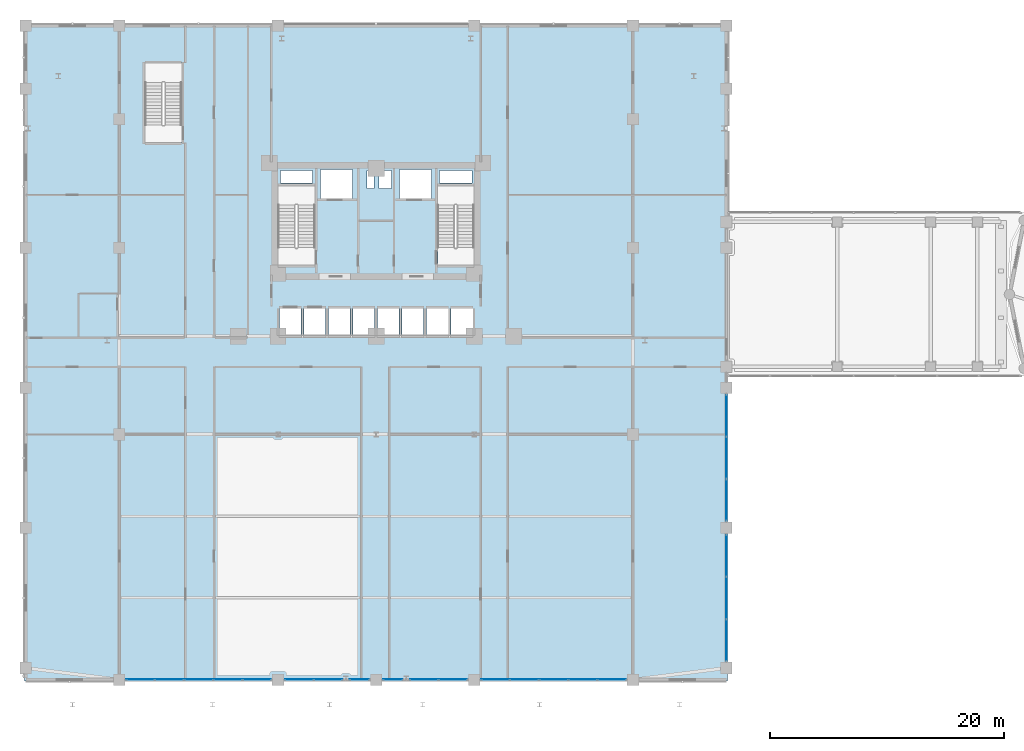
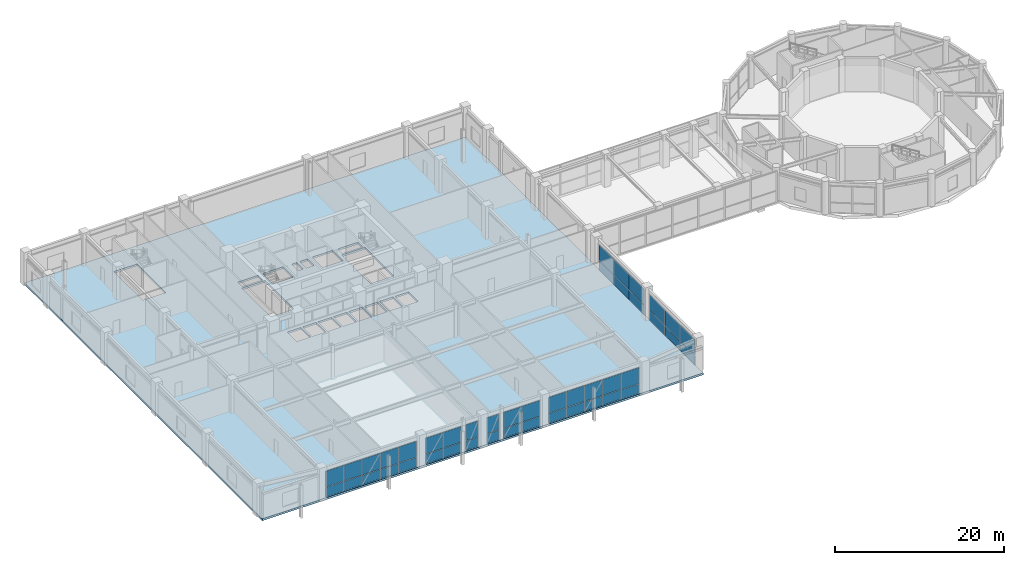
# One storey, part 29 of 48: 44 plates, 1 slab, 8 elements without a shape of their own.
"""IFC4 building model written with IfcOpenShell, lengths in metres."""

from ifc_helpers import new_model, si_unit, derived_unit, direction, frame, origin, origin_2d, place, context, subcontext, project, spatial, polyline, rectangle, outline, extrude, source, transform, mapped, material, layer, layer_set, type_object, element, aggregate, save


model = new_model("IFC4")

# Units and contexts
model_context = context("Model", 3, precision=1e-05, world=origin(), true_north=direction((0.0, 1.0)))
body_context = subcontext(model_context, "Body", "Model", "MODEL_VIEW")
ifc_project = project(units=[si_unit("LENGTHUNIT", "METRE"), si_unit("AREAUNIT", "SQUARE_METRE"), si_unit("VOLUMEUNIT", "CUBIC_METRE"), si_unit("PLANEANGLEUNIT", "RADIAN"), si_unit("MASSUNIT", "GRAM", prefix="KILO"), derived_unit("THERMALTRANSMITTANCEUNIT", [(si_unit("POWERUNIT", "WATT"), 1), (si_unit("LENGTHUNIT", "METRE"), -2), (si_unit("THERMODYNAMICTEMPERATUREUNIT", "KELVIN"), -1)])], contexts=[model_context])

# Site, building, storey
site_placement = place(None, origin())
site = spatial("IfcSite", under=ifc_project, at=site_placement, CompositionType="ELEMENT")
building_placement = place(site_placement, origin())
building = spatial("IfcBuilding", under=site, at=building_placement, Name="Korsvarv Bourse and Concert Hall", CompositionType="ELEMENT")
storey_placement = place(building_placement, frame((0.0, 0.0, 4.800048828125)))
storey = spatial("IfcBuildingStorey", under=building, at=storey_placement, Name="L01", CompositionType="ELEMENT", Elevation=4.800048828125)

# Slab
ifc_material_1 = material(Name="Concrete C45/55", Category="concrete")
ifc_layer_1 = layer(ifc_material_1, 0.280029296875)
ifc_layer_set_1 = layer_set([ifc_layer_1], Name="Concrete C45/55")
slab_type = type_object("IfcSlabType", Name="SLB-PD1", PredefinedType="FLOOR", material=ifc_layer_set_1)
slab_placement = place(storey_placement, frame((0.0, 0.0, -0.280029296875)))
element("IfcSlab", 1, at=slab_placement, inside=storey, type_object=slab_type, Name="L01 exchange podium floor slab", PredefinedType="FLOOR", context=body_context, shape_type="SweptSolid", body=[
    extrude(outline(polyline([(66.10009765625, 2.89990234375), (66.10009765625, 59.10009765625), (5.89990234375, 59.10009765625), (5.89990234375, 2.89990234375), (66.10009765625, 2.89990234375)]), holes=[polyline([(30.760009765625, 38.5), (30.760009765625, 45.300048828125), (27.60009765625, 45.300048828125), (27.60009765625, 38.5), (30.760009765625, 38.5)]), polyline([(44.39990234375, 38.5), (44.39990234375, 45.300048828125), (41.239990234375, 45.300048828125), (41.239990234375, 38.5), (44.39990234375, 38.5)]), polyline([(19.360107421875, 49.0), (19.360107421875, 55.800048828125), (16.199951171875, 55.800048828125), (16.199951171875, 49.0), (19.360107421875, 49.0)]), polyline([(31.239990234375, 44.219970703125), (34.0, 44.219970703125), (34.0, 46.679931640625), (31.239990234375, 46.679931640625), (31.239990234375, 44.219970703125)]), polyline([(38.0, 44.219970703125), (40.760009765625, 44.219970703125), (40.760009765625, 46.679931640625), (38.0, 46.679931640625), (38.0, 44.219970703125)]), polyline([(27.719970703125, 32.52001953125), (29.580078125, 32.52001953125), (29.580078125, 34.780029296875), (27.719970703125, 34.780029296875), (27.719970703125, 32.52001953125)]), polyline([(29.820068359375, 32.52001953125), (31.679931640625, 32.52001953125), (31.679931640625, 34.780029296875), (29.820068359375, 34.780029296875), (29.820068359375, 32.52001953125)]), polyline([(31.919921875, 32.52001953125), (33.780029296875, 32.52001953125), (33.780029296875, 34.780029296875), (31.919921875, 34.780029296875), (31.919921875, 32.52001953125)]), polyline([(34.02001953125, 32.52001953125), (35.8798828125, 32.52001953125), (35.8798828125, 34.780029296875), (34.02001953125, 34.780029296875), (34.02001953125, 32.52001953125)]), polyline([(36.1201171875, 32.52001953125), (37.97998046875, 32.52001953125), (37.97998046875, 34.780029296875), (36.1201171875, 34.780029296875), (36.1201171875, 32.52001953125)]), polyline([(38.219970703125, 32.52001953125), (40.080078125, 32.52001953125), (40.080078125, 34.780029296875), (38.219970703125, 34.780029296875), (38.219970703125, 32.52001953125)]), polyline([(40.320068359375, 32.52001953125), (42.179931640625, 32.52001953125), (42.179931640625, 34.780029296875), (40.320068359375, 34.780029296875), (40.320068359375, 32.52001953125)]), polyline([(42.419921875, 32.52001953125), (44.280029296875, 32.52001953125), (44.280029296875, 34.780029296875), (42.419921875, 34.780029296875), (42.419921875, 32.52001953125)]), polyline([(27.800048828125, 45.56005859375), (30.56005859375, 45.56005859375), (30.56005859375, 46.6201171875), (27.800048828125, 46.6201171875), (27.800048828125, 45.56005859375)]), polyline([(41.43994140625, 45.56005859375), (44.199951171875, 45.56005859375), (44.199951171875, 46.6201171875), (41.43994140625, 46.6201171875), (41.43994140625, 45.56005859375)]), polyline([(35.199951171875, 45.080078125), (35.840087890625, 45.080078125), (35.840087890625, 46.6201171875), (35.199951171875, 46.6201171875), (35.199951171875, 45.080078125)]), polyline([(36.239990234375, 45.080078125), (37.320068359375, 45.080078125), (37.320068359375, 46.6201171875), (36.239990234375, 46.6201171875), (36.239990234375, 45.080078125)])]), origin(), (0.0, 0.0, 1.0), 0.280029296875),
])

# Curtain wall, plates
ifc_material_2 = material(Name="Anodised aluminium and triple low-E glazing", Category="glass")
ifc_layer_2 = layer(ifc_material_2, 0.239990234375)
ifc_layer_set_2 = layer_set([ifc_layer_2], Name="Anodised aluminium and triple low-E glazing")
curtain_wall_type = type_object("IfcCurtainWallType", Name="CW-SYS-5", PredefinedType="NOTDEFINED", material=ifc_layer_set_2)
curtain_wall_1_placement = place(storey_placement, origin())
curtain_wall_1 = element("IfcCurtainWall", 2, at=curtain_wall_1_placement, inside=storey, type_object=curtain_wall_type, Name="L01 CW5 curtain wall CW-L01-E1", PredefinedType="NOTDEFINED")
ifc_material_3 = material(Name="Tempered triple insulated low-E architectural glass", Category="glass")
ifc_layer_3 = layer(ifc_material_3, 0.035888671875)
ifc_layer_set_3 = layer_set([ifc_layer_3], Name="Tempered triple insulated low-E architectural glass")
plate_type_1 = type_object("IfcPlateType", Name="CWP-VIS1", PredefinedType="CURTAIN_PANEL", material=ifc_layer_set_3)
shared_shape_1 = source(origin(), body_context, "Body", "SweptSolid", [
    extrude(rectangle(XDim=3.5283203125, YDim=0.035888671875, at=origin_2d()), origin(), (0.0, 0.0, 1.0), 1.35400390625),
])
plate_1_placement = place(storey_placement, frame((66.0, 6.38427734375, 0.06494140625), z_axis=(0.0, 0.0, 1.0), x_axis=(0.0, 1.0, 0.0)))
plate_1 = element("IfcPlate", 3, at=plate_1_placement, type_object=plate_type_1, Name="CW5 panel 1.1", PredefinedType="CURTAIN_PANEL", context=body_context, shape_type="MappedRepresentation", body=[
    mapped(shared_shape_1, transform((0.0, 0.0, 0.0), scale=1.0)),
])
plate_2_placement = place(storey_placement, frame((66.0, 13.61572265625, 0.06494140625), z_axis=(0.0, 0.0, 1.0), x_axis=(0.0, 1.0, 0.0)))
plate_2 = element("IfcPlate", 4, at=plate_2_placement, type_object=plate_type_1, Name="CW5 panel 3.1", PredefinedType="CURTAIN_PANEL", context=body_context, shape_type="MappedRepresentation", body=[
    mapped(shared_shape_1, transform((0.0, 0.0, 0.0), scale=1.0)),
])

curtain_wall_2_placement = place(storey_placement, origin())
curtain_wall_2 = element("IfcCurtainWall", 5, at=curtain_wall_2_placement, inside=storey, type_object=curtain_wall_type, Name="L01 CW5 curtain wall CW-L01-E2-1", PredefinedType="NOTDEFINED")
plate_3_placement = place(storey_placement, frame((66.0, 18.38427734375, 0.06494140625), z_axis=(0.0, 0.0, 1.0), x_axis=(0.0, 1.0, 0.0)))
plate_3 = element("IfcPlate", 6, at=plate_3_placement, type_object=plate_type_1, Name="CW5 panel 1.1", PredefinedType="CURTAIN_PANEL", context=body_context, shape_type="MappedRepresentation", body=[
    mapped(shared_shape_1, transform((0.0, 0.0, 0.0), scale=1.0)),
])
plate_4_placement = place(storey_placement, frame((66.0, 25.61572265625, 0.06494140625), z_axis=(0.0, 0.0, 1.0), x_axis=(0.0, 1.0, 0.0)))
plate_4 = element("IfcPlate", 7, at=plate_4_placement, type_object=plate_type_1, Name="CW5 panel 3.1", PredefinedType="CURTAIN_PANEL", context=body_context, shape_type="MappedRepresentation", body=[
    mapped(shared_shape_1, transform((0.0, 0.0, 0.0), scale=1.0)),
])

# Plate
shared_shape_2 = source(origin(), body_context, "Body", "SweptSolid", [
    extrude(rectangle(XDim=3.5283203125, YDim=0.035888671875, at=origin_2d()), origin(), (0.0, 0.0, 1.0), 2.27099609375),
])
plate_5_placement = place(storey_placement, frame((66.0, 6.38427734375, 1.48388671875), z_axis=(0.0, 0.0, 1.0), x_axis=(0.0, 1.0, 0.0)))
plate_5 = element("IfcPlate", 8, at=plate_5_placement, type_object=plate_type_1, Name="CW5 panel 1.2", PredefinedType="CURTAIN_PANEL", context=body_context, shape_type="MappedRepresentation", body=[
    mapped(shared_shape_2, transform((0.0, 0.0, 0.0), scale=1.0)),
])

plate_6_placement = place(storey_placement, frame((66.0, 13.61572265625, 1.48388671875), z_axis=(0.0, 0.0, 1.0), x_axis=(0.0, 1.0, 0.0)))
plate_6 = element("IfcPlate", 9, at=plate_6_placement, type_object=plate_type_1, Name="CW5 panel 3.2", PredefinedType="CURTAIN_PANEL", context=body_context, shape_type="MappedRepresentation", body=[
    mapped(shared_shape_2, transform((0.0, 0.0, 0.0), scale=1.0)),
])

plate_7_placement = place(storey_placement, frame((66.0, 18.38427734375, 1.48388671875), z_axis=(0.0, 0.0, 1.0), x_axis=(0.0, 1.0, 0.0)))
plate_7 = element("IfcPlate", 10, at=plate_7_placement, type_object=plate_type_1, Name="CW5 panel 1.2", PredefinedType="CURTAIN_PANEL", context=body_context, shape_type="MappedRepresentation", body=[
    mapped(shared_shape_2, transform((0.0, 0.0, 0.0), scale=1.0)),
])

plate_8_placement = place(storey_placement, frame((66.0, 25.61572265625, 1.48388671875), z_axis=(0.0, 0.0, 1.0), x_axis=(0.0, 1.0, 0.0)))
plate_8 = element("IfcPlate", 11, at=plate_8_placement, type_object=plate_type_1, Name="CW5 panel 3.2", PredefinedType="CURTAIN_PANEL", context=body_context, shape_type="MappedRepresentation", body=[
    mapped(shared_shape_2, transform((0.0, 0.0, 0.0), scale=1.0)),
])

shared_shape_3 = source(origin(), body_context, "Body", "SweptSolid", [
    extrude(rectangle(XDim=3.563232421875, YDim=0.035888671875, at=origin_2d()), origin(), (0.0, 0.0, 1.0), 1.35400390625),
])
plate_9_placement = place(storey_placement, frame((66.0, 10.0, 0.06494140625), z_axis=(0.0, 0.0, 1.0), x_axis=(0.0, 1.0, 0.0)))
plate_9 = element("IfcPlate", 12, at=plate_9_placement, type_object=plate_type_1, Name="CW5 panel 2.1", PredefinedType="CURTAIN_PANEL", context=body_context, shape_type="MappedRepresentation", body=[
    mapped(shared_shape_3, transform((0.0, 0.0, 0.0), scale=1.0)),
])

plate_10_placement = place(storey_placement, frame((66.0, 22.0, 0.06494140625), z_axis=(0.0, 0.0, 1.0), x_axis=(0.0, 1.0, 0.0)))
plate_10 = element("IfcPlate", 13, at=plate_10_placement, type_object=plate_type_1, Name="CW5 panel 2.1", PredefinedType="CURTAIN_PANEL", context=body_context, shape_type="MappedRepresentation", body=[
    mapped(shared_shape_3, transform((0.0, 0.0, 0.0), scale=1.0)),
])

shared_shape_4 = source(origin(), body_context, "Body", "SweptSolid", [
    extrude(rectangle(XDim=3.563232421875, YDim=0.035888671875, at=origin_2d()), origin(), (0.0, 0.0, 1.0), 2.27099609375),
])
plate_11_placement = place(storey_placement, frame((66.0, 10.0, 1.48388671875), z_axis=(0.0, 0.0, 1.0), x_axis=(0.0, 1.0, 0.0)))
plate_11 = element("IfcPlate", 14, at=plate_11_placement, type_object=plate_type_1, Name="CW5 panel 2.2", PredefinedType="CURTAIN_PANEL", context=body_context, shape_type="MappedRepresentation", body=[
    mapped(shared_shape_4, transform((0.0, 0.0, 0.0), scale=1.0)),
])

aggregate(curtain_wall_1, [plate_1, plate_5, plate_9, plate_11, plate_2, plate_6])

plate_12_placement = place(storey_placement, frame((66.0, 22.0, 1.48388671875), z_axis=(0.0, 0.0, 1.0), x_axis=(0.0, 1.0, 0.0)))
plate_12 = element("IfcPlate", 15, at=plate_12_placement, type_object=plate_type_1, Name="CW5 panel 2.2", PredefinedType="CURTAIN_PANEL", context=body_context, shape_type="MappedRepresentation", body=[
    mapped(shared_shape_4, transform((0.0, 0.0, 0.0), scale=1.0)),
])

aggregate(curtain_wall_2, [plate_3, plate_7, plate_10, plate_12, plate_4, plate_8])

# Curtain wall, plates
curtain_wall_3_placement = place(storey_placement, origin())
curtain_wall_3 = element("IfcCurtainWall", 16, at=curtain_wall_3_placement, inside=storey, type_object=curtain_wall_type, Name="L01 CW5 curtain wall CW-L01-S2", PredefinedType="NOTDEFINED")
shared_shape_5 = source(origin(), body_context, "Body", "SweptSolid", [
    extrude(rectangle(XDim=2.39501953125, YDim=0.035888671875, at=origin_2d()), origin(), (0.0, 0.0, 1.0), 1.35400390625),
])
plate_13_placement = place(storey_placement, frame((15.8173828125, 3.0, 0.06494140625), z_axis=(0.0, 0.0, 1.0), x_axis=(1.0, 0.0, 0.0)))
plate_13 = element("IfcPlate", 17, at=plate_13_placement, type_object=plate_type_1, Name="CW5 faceted panel 1.1", PredefinedType="CURTAIN_PANEL", context=body_context, shape_type="MappedRepresentation", body=[
    mapped(shared_shape_5, transform((0.0, 0.0, 0.0), scale=1.0)),
])
plate_14_placement = place(storey_placement, frame((25.782470703125, 3.0, 0.06494140625), z_axis=(0.0, 0.0, 1.0), x_axis=(1.0, 0.0, 0.0)))
plate_14 = element("IfcPlate", 18, at=plate_14_placement, type_object=plate_type_1, Name="CW5 faceted panel 5.1", PredefinedType="CURTAIN_PANEL", context=body_context, shape_type="MappedRepresentation", body=[
    mapped(shared_shape_5, transform((0.0, 0.0, 0.0), scale=1.0)),
])

curtain_wall_4_placement = place(storey_placement, origin())
curtain_wall_4 = element("IfcCurtainWall", 19, at=curtain_wall_4_placement, inside=storey, type_object=curtain_wall_type, Name="L01 CW5 curtain wall CW-L01-S5", PredefinedType="NOTDEFINED")
plate_15_placement = place(storey_placement, frame((46.217529296875, 3.0, 0.06494140625), z_axis=(0.0, 0.0, 1.0), x_axis=(1.0, 0.0, 0.0)))
plate_15 = element("IfcPlate", 20, at=plate_15_placement, type_object=plate_type_1, Name="CW5 faceted panel 1.1", PredefinedType="CURTAIN_PANEL", context=body_context, shape_type="MappedRepresentation", body=[
    mapped(shared_shape_5, transform((0.0, 0.0, 0.0), scale=1.0)),
])
plate_16_placement = place(storey_placement, frame((56.1826171875, 3.0, 0.06494140625), z_axis=(0.0, 0.0, 1.0), x_axis=(1.0, 0.0, 0.0)))
plate_16 = element("IfcPlate", 21, at=plate_16_placement, type_object=plate_type_1, Name="CW5 faceted panel 5.1", PredefinedType="CURTAIN_PANEL", context=body_context, shape_type="MappedRepresentation", body=[
    mapped(shared_shape_5, transform((0.0, 0.0, 0.0), scale=1.0)),
])

# Plate
shared_shape_6 = source(origin(), body_context, "Body", "SweptSolid", [
    extrude(rectangle(XDim=2.39501953125, YDim=0.035888671875, at=origin_2d()), origin(), (0.0, 0.0, 1.0), 2.27099609375),
])
plate_17_placement = place(storey_placement, frame((15.8173828125, 3.0, 1.48388671875), z_axis=(0.0, 0.0, 1.0), x_axis=(1.0, 0.0, 0.0)))
plate_17 = element("IfcPlate", 22, at=plate_17_placement, type_object=plate_type_1, Name="CW5 faceted panel 1.2", PredefinedType="CURTAIN_PANEL", context=body_context, shape_type="MappedRepresentation", body=[
    mapped(shared_shape_6, transform((0.0, 0.0, 0.0), scale=1.0)),
])

plate_18_placement = place(storey_placement, frame((25.782470703125, 3.0, 1.48388671875), z_axis=(0.0, 0.0, 1.0), x_axis=(1.0, 0.0, 0.0)))
plate_18 = element("IfcPlate", 23, at=plate_18_placement, type_object=plate_type_1, Name="CW5 faceted panel 5.2", PredefinedType="CURTAIN_PANEL", context=body_context, shape_type="MappedRepresentation", body=[
    mapped(shared_shape_6, transform((0.0, 0.0, 0.0), scale=1.0)),
])

plate_19_placement = place(storey_placement, frame((46.217529296875, 3.0, 1.48388671875), z_axis=(0.0, 0.0, 1.0), x_axis=(1.0, 0.0, 0.0)))
plate_19 = element("IfcPlate", 24, at=plate_19_placement, type_object=plate_type_1, Name="CW5 faceted panel 1.2", PredefinedType="CURTAIN_PANEL", context=body_context, shape_type="MappedRepresentation", body=[
    mapped(shared_shape_6, transform((0.0, 0.0, 0.0), scale=1.0)),
])

plate_20_placement = place(storey_placement, frame((56.1826171875, 3.0, 1.48388671875), z_axis=(0.0, 0.0, 1.0), x_axis=(1.0, 0.0, 0.0)))
plate_20 = element("IfcPlate", 25, at=plate_20_placement, type_object=plate_type_1, Name="CW5 faceted panel 5.2", PredefinedType="CURTAIN_PANEL", context=body_context, shape_type="MappedRepresentation", body=[
    mapped(shared_shape_6, transform((0.0, 0.0, 0.0), scale=1.0)),
])

shared_shape_7 = source(origin(), body_context, "Body", "SweptSolid", [
    extrude(rectangle(XDim=2.429931640625, YDim=0.035888671875, at=origin_2d()), origin(), (0.0, 0.0, 1.0), 1.35400390625),
])
plate_21_placement = place(storey_placement, frame((18.300048828125, 3.0, 0.06494140625), z_axis=(0.0, 0.0, 1.0), x_axis=(1.0, 0.0, 0.0)))
plate_21 = element("IfcPlate", 26, at=plate_21_placement, type_object=plate_type_1, Name="CW5 faceted panel 2.1", PredefinedType="CURTAIN_PANEL", context=body_context, shape_type="MappedRepresentation", body=[
    mapped(shared_shape_7, transform((0.0, 0.0, 0.0), scale=1.0)),
])

plate_22_placement = place(storey_placement, frame((23.300048828125, 3.0, 0.06494140625), z_axis=(0.0, 0.0, 1.0), x_axis=(1.0, 0.0, 0.0)))
plate_22 = element("IfcPlate", 27, at=plate_22_placement, type_object=plate_type_1, Name="CW5 faceted panel 4.1", PredefinedType="CURTAIN_PANEL", context=body_context, shape_type="MappedRepresentation", body=[
    mapped(shared_shape_7, transform((0.0, 0.0, 0.0), scale=1.0)),
])

plate_23_placement = place(storey_placement, frame((48.699951171875, 3.0, 0.06494140625), z_axis=(0.0, 0.0, 1.0), x_axis=(1.0, 0.0, 0.0)))
plate_23 = element("IfcPlate", 28, at=plate_23_placement, type_object=plate_type_1, Name="CW5 faceted panel 2.1", PredefinedType="CURTAIN_PANEL", context=body_context, shape_type="MappedRepresentation", body=[
    mapped(shared_shape_7, transform((0.0, 0.0, 0.0), scale=1.0)),
])

plate_24_placement = place(storey_placement, frame((53.699951171875, 3.0, 0.06494140625), z_axis=(0.0, 0.0, 1.0), x_axis=(1.0, 0.0, 0.0)))
plate_24 = element("IfcPlate", 29, at=plate_24_placement, type_object=plate_type_1, Name="CW5 faceted panel 4.1", PredefinedType="CURTAIN_PANEL", context=body_context, shape_type="MappedRepresentation", body=[
    mapped(shared_shape_7, transform((0.0, 0.0, 0.0), scale=1.0)),
])

shared_shape_8 = source(origin(), body_context, "Body", "SweptSolid", [
    extrude(rectangle(XDim=2.429931640625, YDim=0.035888671875, at=origin_2d()), origin(), (0.0, 0.0, 1.0), 2.27099609375),
])
plate_25_placement = place(storey_placement, frame((18.300048828125, 3.0, 1.48388671875), z_axis=(0.0, 0.0, 1.0), x_axis=(1.0, 0.0, 0.0)))
plate_25 = element("IfcPlate", 30, at=plate_25_placement, type_object=plate_type_1, Name="CW5 faceted panel 2.2", PredefinedType="CURTAIN_PANEL", context=body_context, shape_type="MappedRepresentation", body=[
    mapped(shared_shape_8, transform((0.0, 0.0, 0.0), scale=1.0)),
])

plate_26_placement = place(storey_placement, frame((23.300048828125, 3.0, 1.48388671875), z_axis=(0.0, 0.0, 1.0), x_axis=(1.0, 0.0, 0.0)))
plate_26 = element("IfcPlate", 31, at=plate_26_placement, type_object=plate_type_1, Name="CW5 faceted panel 4.2", PredefinedType="CURTAIN_PANEL", context=body_context, shape_type="MappedRepresentation", body=[
    mapped(shared_shape_8, transform((0.0, 0.0, 0.0), scale=1.0)),
])

plate_27_placement = place(storey_placement, frame((48.699951171875, 3.0, 1.48388671875), z_axis=(0.0, 0.0, 1.0), x_axis=(1.0, 0.0, 0.0)))
plate_27 = element("IfcPlate", 32, at=plate_27_placement, type_object=plate_type_1, Name="CW5 faceted panel 2.2", PredefinedType="CURTAIN_PANEL", context=body_context, shape_type="MappedRepresentation", body=[
    mapped(shared_shape_8, transform((0.0, 0.0, 0.0), scale=1.0)),
])

plate_28_placement = place(storey_placement, frame((53.699951171875, 3.0, 1.48388671875), z_axis=(0.0, 0.0, 1.0), x_axis=(1.0, 0.0, 0.0)))
plate_28 = element("IfcPlate", 33, at=plate_28_placement, type_object=plate_type_1, Name="CW5 faceted panel 4.2", PredefinedType="CURTAIN_PANEL", context=body_context, shape_type="MappedRepresentation", body=[
    mapped(shared_shape_8, transform((0.0, 0.0, 0.0), scale=1.0)),
])

ifc_material_4 = material(Name="Insulated spandrel glass", Category="glass")
ifc_layer_4 = layer(ifc_material_4, 0.031982421875)
ifc_layer_set_4 = layer_set([ifc_layer_4], Name="Insulated spandrel glass")
plate_type_2 = type_object("IfcPlateType", Name="CWP-SPD1", PredefinedType="CURTAIN_PANEL", material=ifc_layer_set_4)
shared_shape_9 = source(origin(), body_context, "Body", "SweptSolid", [
    extrude(rectangle(XDim=2.429931640625, YDim=0.031982421875, at=origin_2d()), origin(), (0.0, 0.0, 1.0), 1.35400390625),
])
plate_29_placement = place(storey_placement, frame((20.800048828125, 3.0, 0.06494140625), z_axis=(0.0, 0.0, 1.0), x_axis=(1.0, 0.0, 0.0)))
plate_29 = element("IfcPlate", 34, at=plate_29_placement, type_object=plate_type_2, Name="CW5 spandrel shadow-box panel 3.1", PredefinedType="CURTAIN_PANEL", context=body_context, shape_type="MappedRepresentation", body=[
    mapped(shared_shape_9, transform((0.0, 0.0, 0.0), scale=1.0)),
])

plate_30_placement = place(storey_placement, frame((51.199951171875, 3.0, 0.06494140625), z_axis=(0.0, 0.0, 1.0), x_axis=(1.0, 0.0, 0.0)))
plate_30 = element("IfcPlate", 35, at=plate_30_placement, type_object=plate_type_2, Name="CW5 spandrel shadow-box panel 3.1", PredefinedType="CURTAIN_PANEL", context=body_context, shape_type="MappedRepresentation", body=[
    mapped(shared_shape_9, transform((0.0, 0.0, 0.0), scale=1.0)),
])

shared_shape_10 = source(origin(), body_context, "Body", "SweptSolid", [
    extrude(rectangle(XDim=2.429931640625, YDim=0.031982421875, at=origin_2d()), origin(), (0.0, 0.0, 1.0), 2.27099609375),
])
plate_31_placement = place(storey_placement, frame((20.800048828125, 3.0, 1.48388671875), z_axis=(0.0, 0.0, 1.0), x_axis=(1.0, 0.0, 0.0)))
plate_31 = element("IfcPlate", 36, at=plate_31_placement, type_object=plate_type_2, Name="CW5 spandrel shadow-box panel 3.2", PredefinedType="CURTAIN_PANEL", context=body_context, shape_type="MappedRepresentation", body=[
    mapped(shared_shape_10, transform((0.0, 0.0, 0.0), scale=1.0)),
])

aggregate(curtain_wall_3, [plate_13, plate_17, plate_21, plate_25, plate_29, plate_31, plate_22, plate_26, plate_14, plate_18])

plate_32_placement = place(storey_placement, frame((51.199951171875, 3.0, 1.48388671875), z_axis=(0.0, 0.0, 1.0), x_axis=(1.0, 0.0, 0.0)))
plate_32 = element("IfcPlate", 37, at=plate_32_placement, type_object=plate_type_2, Name="CW5 spandrel shadow-box panel 3.2", PredefinedType="CURTAIN_PANEL", context=body_context, shape_type="MappedRepresentation", body=[
    mapped(shared_shape_10, transform((0.0, 0.0, 0.0), scale=1.0)),
])

aggregate(curtain_wall_4, [plate_15, plate_19, plate_23, plate_27, plate_30, plate_32, plate_24, plate_28, plate_16, plate_20])

# Curtain wall, plate
curtain_wall_5_placement = place(storey_placement, origin())
curtain_wall_5 = element("IfcCurtainWall", 38, at=curtain_wall_5_placement, inside=storey, type_object=curtain_wall_type, Name="L01 CW5 curtain wall CW-L01-S3-1", PredefinedType="NOTDEFINED")
shared_shape_11 = source(origin(), body_context, "Body", "SweptSolid", [
    extrude(rectangle(XDim=2.39794921875, YDim=0.031982421875, at=origin_2d()), origin(), (0.0, 0.0, 1.0), 1.35400390625),
])
plate_33_placement = place(storey_placement, frame((29.4189453125, 3.0, 0.06494140625), z_axis=(0.0, 0.0, 1.0), x_axis=(1.0, 0.0, 0.0)))
plate_33 = element("IfcPlate", 39, at=plate_33_placement, type_object=plate_type_2, Name="CW5 spandrel shadow-box panel 1.1", PredefinedType="CURTAIN_PANEL", context=body_context, shape_type="MappedRepresentation", body=[
    mapped(shared_shape_11, transform((0.0, 0.0, 0.0), scale=1.0)),
])

curtain_wall_6_placement = place(storey_placement, origin())
curtain_wall_6 = element("IfcCurtainWall", 40, at=curtain_wall_6_placement, inside=storey, type_object=curtain_wall_type, Name="L01 CW5 curtain wall CW-L01-S4-2", PredefinedType="NOTDEFINED")
plate_34_placement = place(storey_placement, frame((40.113037109375, 3.0, 0.06494140625), z_axis=(0.0, 0.0, 1.0), x_axis=(1.0, 0.0, 0.0)))
plate_34 = element("IfcPlate", 41, at=plate_34_placement, type_object=plate_type_2, Name="CW5 spandrel shadow-box panel 1.1", PredefinedType="CURTAIN_PANEL", context=body_context, shape_type="MappedRepresentation", body=[
    mapped(shared_shape_11, transform((0.0, 0.0, 0.0), scale=1.0)),
])

# Plate
shared_shape_12 = source(origin(), body_context, "Body", "SweptSolid", [
    extrude(rectangle(XDim=2.39794921875, YDim=0.031982421875, at=origin_2d()), origin(), (0.0, 0.0, 1.0), 2.27099609375),
])
plate_35_placement = place(storey_placement, frame((29.4189453125, 3.0, 1.48388671875), z_axis=(0.0, 0.0, 1.0), x_axis=(1.0, 0.0, 0.0)))
plate_35 = element("IfcPlate", 42, at=plate_35_placement, type_object=plate_type_2, Name="CW5 spandrel shadow-box panel 1.2", PredefinedType="CURTAIN_PANEL", context=body_context, shape_type="MappedRepresentation", body=[
    mapped(shared_shape_12, transform((0.0, 0.0, 0.0), scale=1.0)),
])

plate_36_placement = place(storey_placement, frame((40.113037109375, 3.0, 1.48388671875), z_axis=(0.0, 0.0, 1.0), x_axis=(1.0, 0.0, 0.0)))
plate_36 = element("IfcPlate", 43, at=plate_36_placement, type_object=plate_type_2, Name="CW5 spandrel shadow-box panel 1.2", PredefinedType="CURTAIN_PANEL", context=body_context, shape_type="MappedRepresentation", body=[
    mapped(shared_shape_12, transform((0.0, 0.0, 0.0), scale=1.0)),
])

shared_shape_13 = source(origin(), body_context, "Body", "SweptSolid", [
    extrude(rectangle(XDim=2.39794921875, YDim=0.035888671875, at=origin_2d()), origin(), (0.0, 0.0, 1.0), 1.35400390625),
])
plate_37_placement = place(storey_placement, frame((31.886962890625, 3.0, 0.06494140625), z_axis=(0.0, 0.0, 1.0), x_axis=(1.0, 0.0, 0.0)))
plate_37 = element("IfcPlate", 44, at=plate_37_placement, type_object=plate_type_1, Name="CW5 faceted panel 2.1", PredefinedType="CURTAIN_PANEL", context=body_context, shape_type="MappedRepresentation", body=[
    mapped(shared_shape_13, transform((0.0, 0.0, 0.0), scale=1.0)),
])

plate_38_placement = place(storey_placement, frame((42.5810546875, 3.0, 0.06494140625), z_axis=(0.0, 0.0, 1.0), x_axis=(1.0, 0.0, 0.0)))
plate_38 = element("IfcPlate", 45, at=plate_38_placement, type_object=plate_type_1, Name="CW5 faceted panel 2.1", PredefinedType="CURTAIN_PANEL", context=body_context, shape_type="MappedRepresentation", body=[
    mapped(shared_shape_13, transform((0.0, 0.0, 0.0), scale=1.0)),
])

shared_shape_14 = source(origin(), body_context, "Body", "SweptSolid", [
    extrude(rectangle(XDim=2.39794921875, YDim=0.035888671875, at=origin_2d()), origin(), (0.0, 0.0, 1.0), 2.27099609375),
])
plate_39_placement = place(storey_placement, frame((31.886962890625, 3.0, 1.48388671875), z_axis=(0.0, 0.0, 1.0), x_axis=(1.0, 0.0, 0.0)))
plate_39 = element("IfcPlate", 46, at=plate_39_placement, type_object=plate_type_1, Name="CW5 faceted panel 2.2", PredefinedType="CURTAIN_PANEL", context=body_context, shape_type="MappedRepresentation", body=[
    mapped(shared_shape_14, transform((0.0, 0.0, 0.0), scale=1.0)),
])

aggregate(curtain_wall_5, [plate_33, plate_35, plate_37, plate_39])

plate_40_placement = place(storey_placement, frame((42.5810546875, 3.0, 1.48388671875), z_axis=(0.0, 0.0, 1.0), x_axis=(1.0, 0.0, 0.0)))
plate_40 = element("IfcPlate", 47, at=plate_40_placement, type_object=plate_type_1, Name="CW5 faceted panel 2.2", PredefinedType="CURTAIN_PANEL", context=body_context, shape_type="MappedRepresentation", body=[
    mapped(shared_shape_14, transform((0.0, 0.0, 0.0), scale=1.0)),
])

aggregate(curtain_wall_6, [plate_34, plate_36, plate_38, plate_40])

# Curtain wall, plate
curtain_wall_7_placement = place(storey_placement, origin())
curtain_wall_7 = element("IfcCurtainWall", 48, at=curtain_wall_7_placement, inside=storey, type_object=curtain_wall_type, Name="L01 CW5 curtain wall CW-L01-S3-2", PredefinedType="NOTDEFINED")
shared_shape_15 = source(origin(), body_context, "Body", "SweptSolid", [
    extrude(rectangle(XDim=1.6298828125, YDim=0.031982421875, at=origin_2d()), origin(), (0.0, 0.0, 1.0), 1.35400390625),
])
plate_41_placement = place(storey_placement, frame((34.56494140625, 3.0, 0.06494140625), z_axis=(0.0, 0.0, 1.0), x_axis=(1.0, 0.0, 0.0)))
plate_41 = element("IfcPlate", 49, at=plate_41_placement, type_object=plate_type_2, Name="CW5 spandrel shadow-box panel 1.1", PredefinedType="CURTAIN_PANEL", context=body_context, shape_type="MappedRepresentation", body=[
    mapped(shared_shape_15, transform((0.0, 0.0, 0.0), scale=1.0)),
])

curtain_wall_8_placement = place(storey_placement, origin())
curtain_wall_8 = element("IfcCurtainWall", 50, at=curtain_wall_8_placement, inside=storey, type_object=curtain_wall_type, Name="L01 CW5 curtain wall CW-L01-S4-1", PredefinedType="NOTDEFINED")
plate_42_placement = place(storey_placement, frame((37.43505859375, 3.0, 0.06494140625), z_axis=(0.0, 0.0, 1.0), x_axis=(1.0, 0.0, 0.0)))
plate_42 = element("IfcPlate", 51, at=plate_42_placement, type_object=plate_type_2, Name="CW5 spandrel shadow-box panel 1.1", PredefinedType="CURTAIN_PANEL", context=body_context, shape_type="MappedRepresentation", body=[
    mapped(shared_shape_15, transform((0.0, 0.0, 0.0), scale=1.0)),
])

# Plate
shared_shape_16 = source(origin(), body_context, "Body", "SweptSolid", [
    extrude(rectangle(XDim=1.6298828125, YDim=0.031982421875, at=origin_2d()), origin(), (0.0, 0.0, 1.0), 2.27099609375),
])
plate_43_placement = place(storey_placement, frame((34.56494140625, 3.0, 1.48388671875), z_axis=(0.0, 0.0, 1.0), x_axis=(1.0, 0.0, 0.0)))
plate_43 = element("IfcPlate", 52, at=plate_43_placement, type_object=plate_type_2, Name="CW5 spandrel shadow-box panel 1.2", PredefinedType="CURTAIN_PANEL", context=body_context, shape_type="MappedRepresentation", body=[
    mapped(shared_shape_16, transform((0.0, 0.0, 0.0), scale=1.0)),
])

aggregate(curtain_wall_7, [plate_41, plate_43])

plate_44_placement = place(storey_placement, frame((37.43505859375, 3.0, 1.48388671875), z_axis=(0.0, 0.0, 1.0), x_axis=(1.0, 0.0, 0.0)))
plate_44 = element("IfcPlate", 53, at=plate_44_placement, type_object=plate_type_2, Name="CW5 spandrel shadow-box panel 1.2", PredefinedType="CURTAIN_PANEL", context=body_context, shape_type="MappedRepresentation", body=[
    mapped(shared_shape_16, transform((0.0, 0.0, 0.0), scale=1.0)),
])

aggregate(curtain_wall_8, [plate_42, plate_44])

save(model, "model.ifc")
